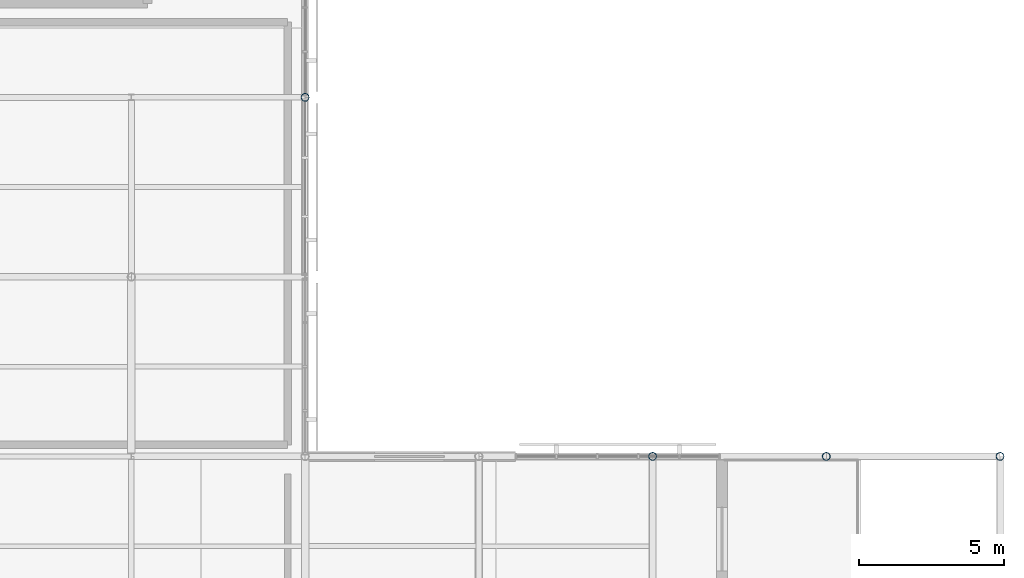
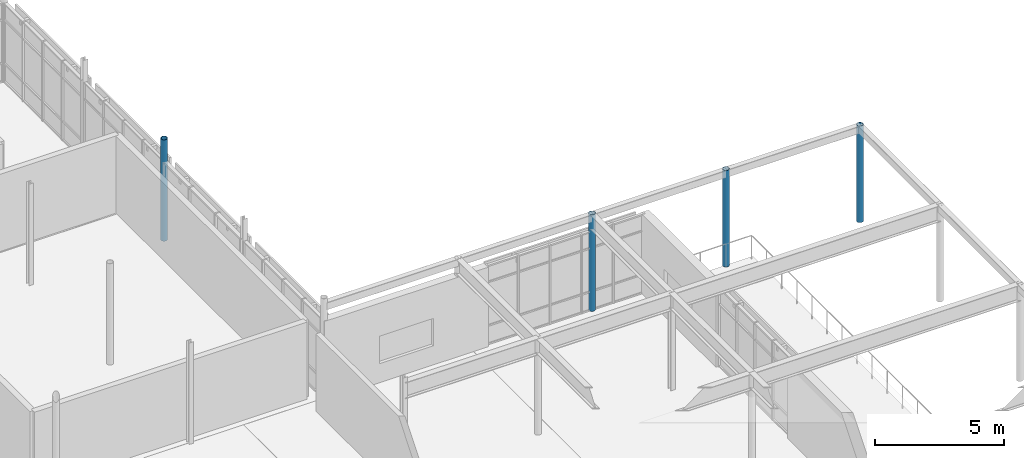
# One storey, part 12 of 48: 4 columns.
"""IFC4 building model written with IfcOpenShell, lengths in metres."""

import ifcopenshell
import ifcopenshell.guid

model = None  # the IFC model being written
_history = None  # IfcOwnerHistory: only IFC2X3 demands one
_inside = {}  # id of a spatial element -> (the spatial element, [elements in it])
_under = {}  # id of a project, library or spatial element -> (it, [spatial elements below it])
_declared = {}  # id of a project -> (the project, [libraries it declares])
_typed = {}  # id of a type object -> (the type object, [elements of that type])
_made_of = {}  # id of a material, layer set ... -> (it, [elements and type objects made of it])


def new_model(schema):
    """Start an empty IFC model of exactly this schema.

    Asked for "IFC4X3", IfcOpenShell would pick the latest addendum, in which some entities
    have other attributes; the version numbers below select the first issue.
    IFC2X3 requires an IfcOwnerHistory on every rooted entity: one is made here for all.
    """
    global model, _history
    if schema == "IFC4X3":
        model = ifcopenshell.file(schema_version=(4, 3, 0, 0))
    else:
        model = ifcopenshell.file(schema=schema)
    _inside.clear()
    _under.clear()
    _declared.clear()
    _typed.clear()
    _made_of.clear()
    _history = None
    if model.schema == "IFC2X3":
        org = make("IfcOrganization", Name="unknown")
        user = make(
            "IfcPersonAndOrganization",
            ThePerson=make("IfcPerson", FamilyName="unknown"),
            TheOrganization=org,
        )
        app = make(
            "IfcApplication",
            ApplicationDeveloper=org,
            Version="unknown",
            ApplicationFullName="unknown",
            ApplicationIdentifier="unknown",
        )
        _history = make(
            "IfcOwnerHistory",
            OwningUser=user,
            OwningApplication=app,
            ChangeAction="ADDED",
            CreationDate=0,
        )
    return model


def make(cls, **values):
    """One entity of the class cls with the attributes given. An attribute that is None is left unset."""
    return model.create_entity(
        cls, **{name: value for name, value in values.items() if value is not None}
    )


def rooted(cls, **values):
    """An entity with a GlobalId (a new one), such as an element, a storey or a relation."""
    return make(cls, GlobalId=ifcopenshell.guid.new(), OwnerHistory=_history, **values)


def si_unit(unit_type, name, prefix=None):
    """IfcSIUnit, for example si_unit("LENGTHUNIT", "METRE", prefix="MILLI")."""
    return make("IfcSIUnit", UnitType=unit_type, Prefix=prefix, Name=name)


def assignment(units):
    """IfcUnitAssignment: the units of a project."""
    return None if units is None else make("IfcUnitAssignment", Units=units)


def point(xyz):
    """IfcCartesianPoint."""
    return None if xyz is None else make("IfcCartesianPoint", Coordinates=xyz)


def direction(xyz):
    """IfcDirection."""
    return None if xyz is None else make("IfcDirection", DirectionRatios=xyz)


def frame(location, z_axis=None, x_axis=None):
    """IfcAxis2Placement3D, a coordinate frame: its origin and axes. An axis left out is left unset."""
    return make(
        "IfcAxis2Placement3D",
        Location=point(location),
        Axis=direction(z_axis),
        RefDirection=direction(x_axis),
    )


def frame_2d(location, x_axis=None):
    """IfcAxis2Placement2D, a coordinate frame in the plane: its origin and x axis."""
    return make(
        "IfcAxis2Placement2D", Location=point(location), RefDirection=direction(x_axis)
    )


def origin():
    """The frame at (0, 0, 0) with its axes left unset."""
    return frame((0.0, 0.0, 0.0))


def origin_2d():
    """The frame at (0, 0) in the plane with its x axis left unset."""
    return frame_2d((0.0, 0.0))


def place(relative_to, where):
    """IfcLocalPlacement: puts the frame where relative to a parent placement (None: the world)."""
    return make(
        "IfcLocalPlacement", PlacementRelTo=relative_to, RelativePlacement=where
    )


def context(
    kind, dimensions, precision=None, world=None, true_north=None, identifier=None
):
    """IfcGeometricRepresentationContext, for example the 3D "Model" context."""
    return make(
        "IfcGeometricRepresentationContext",
        ContextIdentifier=identifier,
        ContextType=kind,
        CoordinateSpaceDimension=dimensions,
        Precision=precision,
        WorldCoordinateSystem=world,
        TrueNorth=true_north,
    )


def subcontext(parent, identifier, kind, view, scale=None):
    """IfcGeometricRepresentationSubContext, for example "Body" below "Model"."""
    return make(
        "IfcGeometricRepresentationSubContext",
        ContextIdentifier=identifier,
        ContextType=kind,
        ParentContext=parent,
        TargetScale=scale,
        TargetView=view,
    )


def project(units=None, contexts=None):
    """IfcProject with its units and contexts."""
    return rooted(
        "IfcProject",
        Name="project",
        RepresentationContexts=contexts,
        UnitsInContext=assignment(units),
    )


def spatial(cls, under=None, at=None, **own):
    """A site, building, storey or space (cls), placed at a placement, below another one or the project."""
    s = rooted(cls, ObjectPlacement=at, **own)
    if under is not None:
        _under.setdefault(under.id(), (under, []))[1].append(s)
    return s


def profile(cls, at=None, kind="AREA", **sizes):
    """A parametric profile (cls). Its sizes go by their IFC names, for example OverallWidth=200.0."""
    return make(cls, ProfileType=kind, Position=at, **sizes)


def hollow_circle(**sizes):
    """IfcCircleHollowProfileDef."""
    return profile("IfcCircleHollowProfileDef", **sizes)


def extrude(swept, where, along, depth):
    """IfcExtrudedAreaSolid: the profile swept, set in the frame where, extruded along a direction by depth."""
    return make(
        "IfcExtrudedAreaSolid",
        SweptArea=swept,
        Position=where,
        ExtrudedDirection=direction(along),
        Depth=depth,
    )


def shape(context_of_items, identifier, shape_type, items):
    """IfcShapeRepresentation: the items that make up one representation, for example the "Body"."""
    return make(
        "IfcShapeRepresentation",
        ContextOfItems=context_of_items,
        RepresentationIdentifier=identifier,
        RepresentationType=shape_type,
        Items=items,
    )


def material(Name=None, Category=None):
    """IfcMaterial."""
    return make("IfcMaterial", Name=Name, Category=Category)


def material_profile(
    of_material, cross_section, Name=None, Category=None, Priority=None
):
    """IfcMaterialProfile: a cross section and its material."""
    return make(
        "IfcMaterialProfile",
        Name=Name,
        Material=of_material,
        Profile=cross_section,
        Priority=Priority,
        Category=Category,
    )


def profile_set(profiles, Name=None, composite=None):
    """IfcMaterialProfileSet."""
    return make(
        "IfcMaterialProfileSet",
        Name=Name,
        MaterialProfiles=profiles,
        CompositeProfile=composite,
    )


def made_of(thing, what):
    """Note that an element or type object is made of a material, layer set ...; save() writes the relation."""
    if what is not None:
        _made_of.setdefault(what.id(), (what, []))[1].append(thing)
    return thing


def type_object(cls, material=None, **own):
    """A type object (cls), such as IfcWallType, which elements share."""
    return made_of(rooted(cls, **own), material)


def element(
    cls,
    number,
    at=None,
    inside=None,
    cuts=None,
    type_object=None,
    material=None,
    context=None,
    identifier="Body",
    shape_type=None,
    held_by="IfcProductDefinitionShape",
    body=None,
    shapes=None,
    **own,
):
    """One element of the class cls, such as IfcWall. Its Tag is "e" and its number.

    at: its placement. inside: the storey or other place that contains it. cuts: it is an
    opening in that element (IfcRelVoidsElement). A single representation is given by context,
    identifier, shape_type and body (its items); several are given by shapes. held_by: the class
    of the entity that holds the representations. save() writes the other relations.
    """
    e = rooted(cls, Tag="e%d" % number, ObjectPlacement=at, **own)
    if body is not None:
        shapes = [shape(context, identifier, shape_type, body)]
    if shapes is not None:
        e.Representation = make(held_by, Representations=shapes)
    if inside is not None:
        _inside.setdefault(inside.id(), (inside, []))[1].append(e)
    if cuts is not None:
        rooted(
            "IfcRelVoidsElement", RelatingBuildingElement=cuts, RelatedOpeningElement=e
        )
    if type_object is not None:
        _typed.setdefault(type_object.id(), (type_object, []))[1].append(e)
    return made_of(e, material)


def aggregate(whole, parts):
    """IfcRelAggregates: a whole, such as a stair, and the parts it consists of."""
    return rooted("IfcRelAggregates", RelatingObject=whole, RelatedObjects=parts)


def save(model, path):
    """Write the relations noted so far, then the file.

    IfcRelAggregates (storeys below a building ...), IfcRelContainedInSpatialStructure (elements
    in a storey), IfcRelDefinesByType, IfcRelAssociatesMaterial and IfcRelDeclares: one each for
    every whole, place, type object, material and project.
    """
    for whole, parts in _under.values():
        aggregate(whole, parts)
    for where, things in _inside.values():
        rooted(
            "IfcRelContainedInSpatialStructure",
            RelatedElements=things,
            RelatingStructure=where,
        )
    for kind, things in _typed.values():
        rooted("IfcRelDefinesByType", RelatedObjects=things, RelatingType=kind)
    for what, things in _made_of.values():
        rooted("IfcRelAssociatesMaterial", RelatedObjects=things, RelatingMaterial=what)
    for by, libraries in _declared.values():
        rooted("IfcRelDeclares", RelatingContext=by, RelatedDefinitions=libraries)
    model.write(path)


model = new_model("IFC4")

# Units and contexts
model_context = context("Model", 3, precision=1e-05, world=origin(), true_north=direction((0.0, 1.0)))
body_context = subcontext(model_context, "Body", "Model", "MODEL_VIEW")
ifc_project = project(units=[si_unit("LENGTHUNIT", "METRE"), si_unit("AREAUNIT", "SQUARE_METRE"), si_unit("VOLUMEUNIT", "CUBIC_METRE"), si_unit("PLANEANGLEUNIT", "RADIAN"), si_unit("MASSUNIT", "GRAM", prefix="KILO")], contexts=[model_context])

# Site, building, storey
site_placement = place(None, origin())
site = spatial("IfcSite", under=ifc_project, at=site_placement, CompositionType="ELEMENT")
building_placement = place(site_placement, origin())
building = spatial("IfcBuilding", under=site, at=building_placement, Name="Mirzam Square Science Centre", CompositionType="ELEMENT")
storey_placement = place(building_placement, frame((0.0, 0.0, 20.39990234375)))
storey = spatial("IfcBuildingStorey", under=building, at=storey_placement, Name="L04", CompositionType="ELEMENT", Elevation=20.39990234375)

# Columns
ifc_material = material(Name="Steel S355", Category="steel")
ifc_material_profile = material_profile(ifc_material, hollow_circle(Radius=0.136474609375, WallThickness=0.010009765625, at=origin_2d()), Name="273.0x10.0CHS")
ifc_profile_set = profile_set([ifc_material_profile], Name="Steel S355")
column_type = type_object("IfcColumnType", Name="COL-CHS273", PredefinedType="COLUMN", material=ifc_profile_set)
column_placement = place(storey_placement, frame((138.0, 99.199951171875, 0.0), z_axis=(0.0, 0.0, 1.0), x_axis=(1.0, 0.0, 0.0)))
element("IfcColumn", 1, at=column_placement, inside=storey, type_object=column_type, Name="L04 column G24-17", PredefinedType="COLUMN", context=body_context, shape_type="SweptSolid", body=[
    extrude(hollow_circle(Radius=0.136474609375, WallThickness=0.010009765625, at=origin_2d()), origin(), (0.0, 0.0, 1.0), 4.800048828125),
])
for number, where, z_axis, x_axis, name in (
    (2, (150.0, 86.800048828125, 0.0), (0.0, 0.0, 1.0), (1.0, 0.0, 0.0), "L04 column G26-15"),
    (3, (156.0, 86.800048828125, 0.0), (0.0, 0.0, 1.0), (1.0, 0.0, 0.0), "L04 column G27-15"),
    (4, (162.0, 86.800048828125, 0.0), (0.0, 0.0, 1.0), (1.0, 0.0, 0.0), "L04 column G28-15"),
):
    element("IfcColumn", number, at=place(storey_placement, frame(where, z_axis=z_axis, x_axis=x_axis)), inside=storey, type_object=column_type, Name=name, PredefinedType="COLUMN", context=body_context, shape_type="SweptSolid", body=[
        extrude(hollow_circle(Radius=0.136474609375, WallThickness=0.010009765625, at=origin_2d()), origin(), (0.0, 0.0, 1.0), 4.570068359375),
    ])

save(model, "model.ifc")
